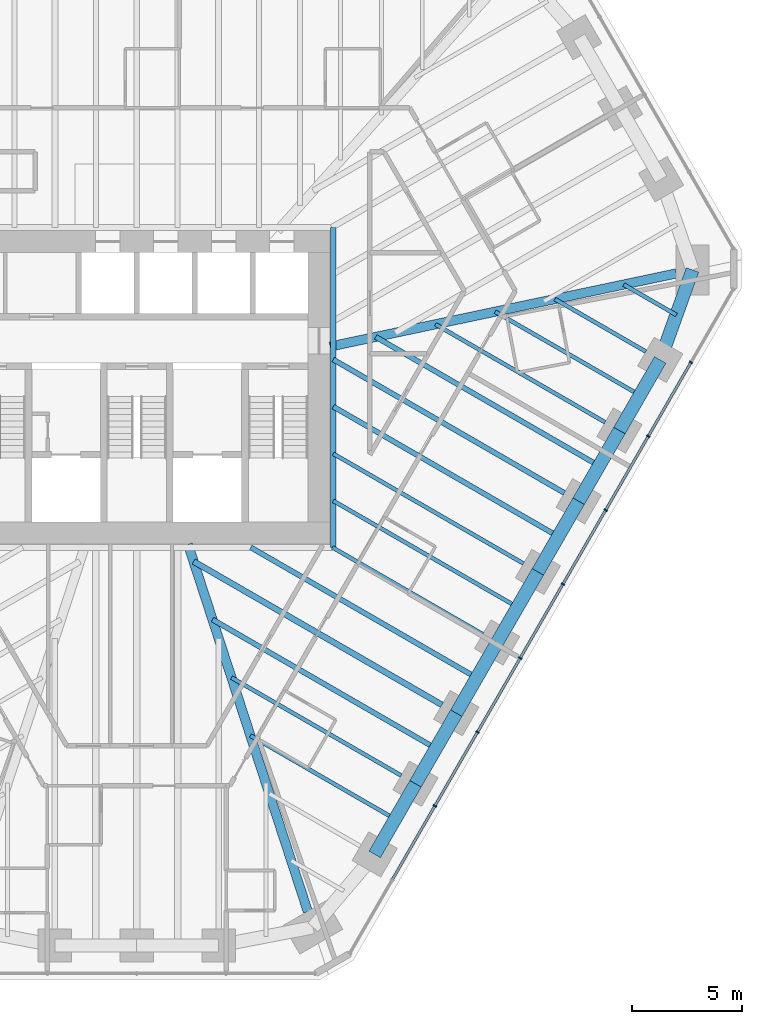
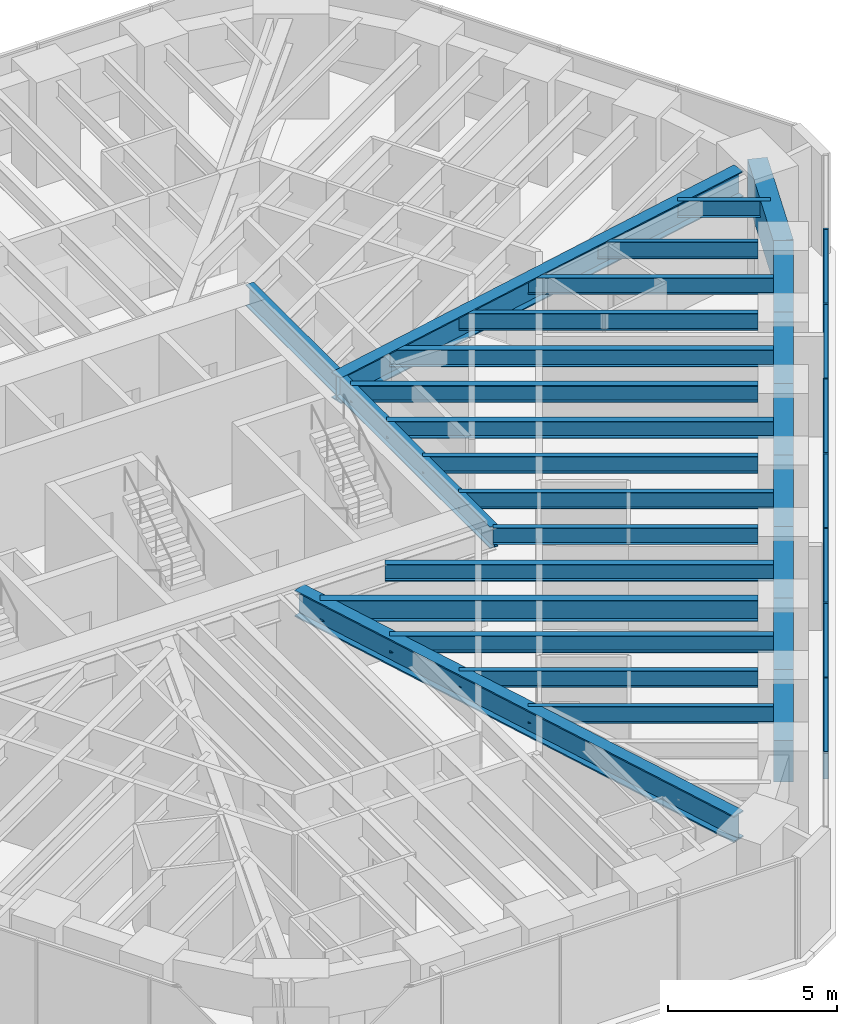
# One storey, part 5 of 16: 26 beams, 14 members, 1 element without a shape of its own.
"""IFC4 building model written with IfcOpenShell, lengths in metres."""

import ifcopenshell
import ifcopenshell.guid

model = None  # the IFC model being written
_history = None  # IfcOwnerHistory: only IFC2X3 demands one
_inside = {}  # id of a spatial element -> (the spatial element, [elements in it])
_under = {}  # id of a project, library or spatial element -> (it, [spatial elements below it])
_declared = {}  # id of a project -> (the project, [libraries it declares])
_typed = {}  # id of a type object -> (the type object, [elements of that type])
_made_of = {}  # id of a material, layer set ... -> (it, [elements and type objects made of it])


def new_model(schema):
    """Start an empty IFC model of exactly this schema.

    Asked for "IFC4X3", IfcOpenShell would pick the latest addendum, in which some entities
    have other attributes; the version numbers below select the first issue.
    IFC2X3 requires an IfcOwnerHistory on every rooted entity: one is made here for all.
    """
    global model, _history
    if schema == "IFC4X3":
        model = ifcopenshell.file(schema_version=(4, 3, 0, 0))
    else:
        model = ifcopenshell.file(schema=schema)
    _inside.clear()
    _under.clear()
    _declared.clear()
    _typed.clear()
    _made_of.clear()
    _history = None
    if model.schema == "IFC2X3":
        org = make("IfcOrganization", Name="unknown")
        user = make(
            "IfcPersonAndOrganization",
            ThePerson=make("IfcPerson", FamilyName="unknown"),
            TheOrganization=org,
        )
        app = make(
            "IfcApplication",
            ApplicationDeveloper=org,
            Version="unknown",
            ApplicationFullName="unknown",
            ApplicationIdentifier="unknown",
        )
        _history = make(
            "IfcOwnerHistory",
            OwningUser=user,
            OwningApplication=app,
            ChangeAction="ADDED",
            CreationDate=0,
        )
    return model


def make(cls, **values):
    """One entity of the class cls with the attributes given. An attribute that is None is left unset."""
    return model.create_entity(
        cls, **{name: value for name, value in values.items() if value is not None}
    )


def rooted(cls, **values):
    """An entity with a GlobalId (a new one), such as an element, a storey or a relation."""
    return make(cls, GlobalId=ifcopenshell.guid.new(), OwnerHistory=_history, **values)


def si_unit(unit_type, name, prefix=None):
    """IfcSIUnit, for example si_unit("LENGTHUNIT", "METRE", prefix="MILLI")."""
    return make("IfcSIUnit", UnitType=unit_type, Prefix=prefix, Name=name)


def assignment(units):
    """IfcUnitAssignment: the units of a project."""
    return None if units is None else make("IfcUnitAssignment", Units=units)


def point(xyz):
    """IfcCartesianPoint."""
    return None if xyz is None else make("IfcCartesianPoint", Coordinates=xyz)


def direction(xyz):
    """IfcDirection."""
    return None if xyz is None else make("IfcDirection", DirectionRatios=xyz)


def frame(location, z_axis=None, x_axis=None):
    """IfcAxis2Placement3D, a coordinate frame: its origin and axes. An axis left out is left unset."""
    return make(
        "IfcAxis2Placement3D",
        Location=point(location),
        Axis=direction(z_axis),
        RefDirection=direction(x_axis),
    )


def frame_2d(location, x_axis=None):
    """IfcAxis2Placement2D, a coordinate frame in the plane: its origin and x axis."""
    return make(
        "IfcAxis2Placement2D", Location=point(location), RefDirection=direction(x_axis)
    )


def origin():
    """The frame at (0, 0, 0) with its axes left unset."""
    return frame((0.0, 0.0, 0.0))


def origin_2d():
    """The frame at (0, 0) in the plane with its x axis left unset."""
    return frame_2d((0.0, 0.0))


def place(relative_to, where):
    """IfcLocalPlacement: puts the frame where relative to a parent placement (None: the world)."""
    return make(
        "IfcLocalPlacement", PlacementRelTo=relative_to, RelativePlacement=where
    )


def context(
    kind, dimensions, precision=None, world=None, true_north=None, identifier=None
):
    """IfcGeometricRepresentationContext, for example the 3D "Model" context."""
    return make(
        "IfcGeometricRepresentationContext",
        ContextIdentifier=identifier,
        ContextType=kind,
        CoordinateSpaceDimension=dimensions,
        Precision=precision,
        WorldCoordinateSystem=world,
        TrueNorth=true_north,
    )


def subcontext(parent, identifier, kind, view, scale=None):
    """IfcGeometricRepresentationSubContext, for example "Body" below "Model"."""
    return make(
        "IfcGeometricRepresentationSubContext",
        ContextIdentifier=identifier,
        ContextType=kind,
        ParentContext=parent,
        TargetScale=scale,
        TargetView=view,
    )


def project(units=None, contexts=None):
    """IfcProject with its units and contexts."""
    return rooted(
        "IfcProject",
        Name="project",
        RepresentationContexts=contexts,
        UnitsInContext=assignment(units),
    )


def spatial(cls, under=None, at=None, **own):
    """A site, building, storey or space (cls), placed at a placement, below another one or the project."""
    s = rooted(cls, ObjectPlacement=at, **own)
    if under is not None:
        _under.setdefault(under.id(), (under, []))[1].append(s)
    return s


def profile(cls, at=None, kind="AREA", **sizes):
    """A parametric profile (cls). Its sizes go by their IFC names, for example OverallWidth=200.0."""
    return make(cls, ProfileType=kind, Position=at, **sizes)


def rectangle(**sizes):
    """IfcRectangleProfileDef."""
    return profile("IfcRectangleProfileDef", **sizes)


def i_section(**sizes):
    """IfcIShapeProfileDef."""
    return profile("IfcIShapeProfileDef", **sizes)


def extrude(swept, where, along, depth):
    """IfcExtrudedAreaSolid: the profile swept, set in the frame where, extruded along a direction by depth."""
    return make(
        "IfcExtrudedAreaSolid",
        SweptArea=swept,
        Position=where,
        ExtrudedDirection=direction(along),
        Depth=depth,
    )


def shape(context_of_items, identifier, shape_type, items):
    """IfcShapeRepresentation: the items that make up one representation, for example the "Body"."""
    return make(
        "IfcShapeRepresentation",
        ContextOfItems=context_of_items,
        RepresentationIdentifier=identifier,
        RepresentationType=shape_type,
        Items=items,
    )


def material(Name=None, Category=None):
    """IfcMaterial."""
    return make("IfcMaterial", Name=Name, Category=Category)


def material_profile(
    of_material, cross_section, Name=None, Category=None, Priority=None
):
    """IfcMaterialProfile: a cross section and its material."""
    return make(
        "IfcMaterialProfile",
        Name=Name,
        Material=of_material,
        Profile=cross_section,
        Priority=Priority,
        Category=Category,
    )


def profile_set(profiles, Name=None, composite=None):
    """IfcMaterialProfileSet."""
    return make(
        "IfcMaterialProfileSet",
        Name=Name,
        MaterialProfiles=profiles,
        CompositeProfile=composite,
    )


def made_of(thing, what):
    """Note that an element or type object is made of a material, layer set ...; save() writes the relation."""
    if what is not None:
        _made_of.setdefault(what.id(), (what, []))[1].append(thing)
    return thing


def type_object(cls, material=None, **own):
    """A type object (cls), such as IfcWallType, which elements share."""
    return made_of(rooted(cls, **own), material)


def element(
    cls,
    number,
    at=None,
    inside=None,
    cuts=None,
    type_object=None,
    material=None,
    context=None,
    identifier="Body",
    shape_type=None,
    held_by="IfcProductDefinitionShape",
    body=None,
    shapes=None,
    **own,
):
    """One element of the class cls, such as IfcWall. Its Tag is "e" and its number.

    at: its placement. inside: the storey or other place that contains it. cuts: it is an
    opening in that element (IfcRelVoidsElement). A single representation is given by context,
    identifier, shape_type and body (its items); several are given by shapes. held_by: the class
    of the entity that holds the representations. save() writes the other relations.
    """
    e = rooted(cls, Tag="e%d" % number, ObjectPlacement=at, **own)
    if body is not None:
        shapes = [shape(context, identifier, shape_type, body)]
    if shapes is not None:
        e.Representation = make(held_by, Representations=shapes)
    if inside is not None:
        _inside.setdefault(inside.id(), (inside, []))[1].append(e)
    if cuts is not None:
        rooted(
            "IfcRelVoidsElement", RelatingBuildingElement=cuts, RelatedOpeningElement=e
        )
    if type_object is not None:
        _typed.setdefault(type_object.id(), (type_object, []))[1].append(e)
    return made_of(e, material)


def aggregate(whole, parts):
    """IfcRelAggregates: a whole, such as a stair, and the parts it consists of."""
    return rooted("IfcRelAggregates", RelatingObject=whole, RelatedObjects=parts)


def save(model, path):
    """Write the relations noted so far, then the file.

    IfcRelAggregates (storeys below a building ...), IfcRelContainedInSpatialStructure (elements
    in a storey), IfcRelDefinesByType, IfcRelAssociatesMaterial and IfcRelDeclares: one each for
    every whole, place, type object, material and project.
    """
    for whole, parts in _under.values():
        aggregate(whole, parts)
    for where, things in _inside.values():
        rooted(
            "IfcRelContainedInSpatialStructure",
            RelatedElements=things,
            RelatingStructure=where,
        )
    for kind, things in _typed.values():
        rooted("IfcRelDefinesByType", RelatedObjects=things, RelatingType=kind)
    for what, things in _made_of.values():
        rooted("IfcRelAssociatesMaterial", RelatedObjects=things, RelatingMaterial=what)
    for by, libraries in _declared.values():
        rooted("IfcRelDeclares", RelatingContext=by, RelatedDefinitions=libraries)
    model.write(path)


model = new_model("IFC4")

# Units and contexts
model_context = context("Model", 3, precision=1e-05, world=origin(), true_north=direction((0.0, 1.0)))
body_context = subcontext(model_context, "Body", "Model", "MODEL_VIEW")
ifc_project = project(units=[si_unit("LENGTHUNIT", "METRE"), si_unit("AREAUNIT", "SQUARE_METRE"), si_unit("VOLUMEUNIT", "CUBIC_METRE"), si_unit("PLANEANGLEUNIT", "RADIAN"), si_unit("MASSUNIT", "GRAM", prefix="KILO")], contexts=[model_context])

# Site, building, storey
site_placement = place(None, origin())
site = spatial("IfcSite", under=ifc_project, at=site_placement, CompositionType="ELEMENT")
building_placement = place(site_placement, origin())
building = spatial("IfcBuilding", under=site, at=building_placement, Name="Sandreach Pilgrim Tower", CompositionType="ELEMENT")
storey_placement = place(building_placement, frame((0.0, 0.0, 209.800048828125)))
storey = spatial("IfcBuildingStorey", under=building, at=storey_placement, Name="L52", CompositionType="ELEMENT", Elevation=209.800048828125)

# Curtain wall, members
ifc_material_1 = material(Name="Aluminium framed curtain wall", Category="aluminium")
curtain_wall_type = type_object("IfcCurtainWallType", Name="Upper hotel tower curtain wall", PredefinedType="NOTDEFINED", material=ifc_material_1)
curtain_wall_placement = place(storey_placement, origin())
curtain_wall = element("IfcCurtainWall", 1, at=curtain_wall_placement, inside=storey, type_object=curtain_wall_type, Name="CW-3 L52 SE", PredefinedType="NOTDEFINED")
ifc_material_2 = material(Name="Aluminium extrusion", Category="aluminium")
ifc_material_profile_1 = material_profile(ifc_material_2, rectangle(XDim=0.06494140625, YDim=0.159912109375, at=origin_2d()), Name="CW-3M 65X160")
ifc_profile_set_1 = profile_set([ifc_material_profile_1], Name="Aluminium extrusion")
member_type_1 = type_object("IfcMemberType", Name="CW-3 mullion", PredefinedType="MULLION", material=ifc_profile_set_1)
member_1_placement = place(storey_placement, frame((25.087890625, 1.13330078125, 0.0), z_axis=(0.0, 0.0, 1.0), x_axis=(-0.5, -0.866025403784, 0.0)))
member_1 = element("IfcMember", 2, at=member_1_placement, type_object=member_type_1, Name="CW-3 mullion 2", PredefinedType="MULLION", context=body_context, shape_type="SweptSolid", body=[
    extrude(rectangle(XDim=0.06494140625, YDim=0.159912109375, at=origin_2d()), origin(), (0.0, 0.0, 1.0), 3.639892578125),
])
member_2_placement = place(storey_placement, frame((23.15576171875, -2.21337890625, 0.0), z_axis=(0.0, 0.0, 1.0), x_axis=(-0.5, -0.866025403784, 0.0)))
member_2 = element("IfcMember", 3, at=member_2_placement, type_object=member_type_1, Name="CW-3 mullion 3", PredefinedType="MULLION", context=body_context, shape_type="SweptSolid", body=[
    extrude(rectangle(XDim=0.06494140625, YDim=0.159912109375, at=origin_2d()), origin(), (0.0, 0.0, 1.0), 3.639892578125),
])
member_3_placement = place(storey_placement, frame((21.223388671875, -5.56005859375, 0.0), z_axis=(0.0, 0.0, 1.0), x_axis=(-0.5, -0.866025403784, 0.0)))
member_3 = element("IfcMember", 4, at=member_3_placement, type_object=member_type_1, Name="CW-3 mullion 4", PredefinedType="MULLION", context=body_context, shape_type="SweptSolid", body=[
    extrude(rectangle(XDim=0.06494140625, YDim=0.159912109375, at=origin_2d()), origin(), (0.0, 0.0, 1.0), 3.639892578125),
])
member_4_placement = place(storey_placement, frame((19.291259765625, -8.90673828125, 0.0), z_axis=(0.0, 0.0, 1.0), x_axis=(-0.5, -0.866025403784, 0.0)))
member_4 = element("IfcMember", 5, at=member_4_placement, type_object=member_type_1, Name="CW-3 mullion 5", PredefinedType="MULLION", context=body_context, shape_type="SweptSolid", body=[
    extrude(rectangle(XDim=0.06494140625, YDim=0.159912109375, at=origin_2d()), origin(), (0.0, 0.0, 1.0), 3.639892578125),
])
member_5_placement = place(storey_placement, frame((17.359130859375, -12.25341796875, 0.0), z_axis=(0.0, 0.0, 1.0), x_axis=(-0.5, -0.866025403784, 0.0)))
member_5 = element("IfcMember", 6, at=member_5_placement, type_object=member_type_1, Name="CW-3 mullion 6", PredefinedType="MULLION", context=body_context, shape_type="SweptSolid", body=[
    extrude(rectangle(XDim=0.06494140625, YDim=0.159912109375, at=origin_2d()), origin(), (0.0, 0.0, 1.0), 3.639892578125),
])
member_6_placement = place(storey_placement, frame((15.4267578125, -15.60009765625, 0.0), z_axis=(0.0, 0.0, 1.0), x_axis=(-0.5, -0.866025403784, 0.0)))
member_6 = element("IfcMember", 7, at=member_6_placement, type_object=member_type_1, Name="CW-3 mullion 7", PredefinedType="MULLION", context=body_context, shape_type="SweptSolid", body=[
    extrude(rectangle(XDim=0.06494140625, YDim=0.159912109375, at=origin_2d()), origin(), (0.0, 0.0, 1.0), 3.639892578125),
])
member_7_placement = place(storey_placement, frame((13.49462890625, -18.94677734375, 0.0), z_axis=(0.0, 0.0, 1.0), x_axis=(-0.5, -0.866025403784, 0.0)))
member_7 = element("IfcMember", 8, at=member_7_placement, type_object=member_type_1, Name="CW-3 mullion 8", PredefinedType="MULLION", context=body_context, shape_type="SweptSolid", body=[
    extrude(rectangle(XDim=0.06494140625, YDim=0.159912109375, at=origin_2d()), origin(), (0.0, 0.0, 1.0), 3.639892578125),
])
ifc_material_3 = material(Name="Aluminium extrusion", Category="aluminium")
ifc_material_profile_2 = material_profile(ifc_material_3, rectangle(XDim=0.1201171875, YDim=0.070068359375, at=origin_2d()), Name="CW-3T 120X70")
ifc_profile_set_2 = profile_set([ifc_material_profile_2], Name="Aluminium extrusion")
member_type_2 = type_object("IfcMemberType", Name="CW-3 transom", PredefinedType="USERDEFINED", material=ifc_profile_set_2)
member_8_placement = place(storey_placement, frame((25.07177734375, 1.105224609375, 3.60498046875), z_axis=(-0.500022797313, -0.86601224135, 0.0), x_axis=(0.86601224135, -0.500022797313, 0.0)))
member_8 = element("IfcMember", 9, at=member_8_placement, type_object=member_type_2, Name="CW-3 head transom 2", ObjectType="TRANSOM", PredefinedType="USERDEFINED", context=body_context, shape_type="SweptSolid", body=[
    extrude(rectangle(XDim=0.1201171875, YDim=0.070068359375, at=origin_2d()), origin(), (0.0, 0.0, 1.0), 3.799560546875),
])
member_9_placement = place(storey_placement, frame((23.139404296875, -2.241455078125, 3.60498046875), z_axis=(-0.499974606132, -0.866040064445, 0.0), x_axis=(0.866040064445, -0.499974606132, 0.0)))
member_9 = element("IfcMember", 10, at=member_9_placement, type_object=member_type_2, Name="CW-3 head transom 3", ObjectType="TRANSOM", PredefinedType="USERDEFINED", context=body_context, shape_type="SweptSolid", body=[
    extrude(rectangle(XDim=0.1201171875, YDim=0.070068359375, at=origin_2d()), origin(), (0.0, 0.0, 1.0), 3.799560546875),
])
member_10_placement = place(storey_placement, frame((21.207275390625, -5.588134765625, 3.60498046875), z_axis=(-0.499974606132, -0.866040064445, 0.0), x_axis=(0.866040064445, -0.499974606132, 0.0)))
member_10 = element("IfcMember", 11, at=member_10_placement, type_object=member_type_2, Name="CW-3 head transom 4", ObjectType="TRANSOM", PredefinedType="USERDEFINED", context=body_context, shape_type="SweptSolid", body=[
    extrude(rectangle(XDim=0.1201171875, YDim=0.070068359375, at=origin_2d()), origin(), (0.0, 0.0, 1.0), 3.799560546875),
])
member_11_placement = place(storey_placement, frame((19.275146484375, -8.934814453125, 3.60498046875), z_axis=(-0.500022797313, -0.86601224135, 0.0), x_axis=(0.86601224135, -0.500022797313, 0.0)))
member_11 = element("IfcMember", 12, at=member_11_placement, type_object=member_type_2, Name="CW-3 head transom 5", ObjectType="TRANSOM", PredefinedType="USERDEFINED", context=body_context, shape_type="SweptSolid", body=[
    extrude(rectangle(XDim=0.1201171875, YDim=0.070068359375, at=origin_2d()), origin(), (0.0, 0.0, 1.0), 3.799560546875),
])
member_12_placement = place(storey_placement, frame((17.3427734375, -12.281494140625, 3.60498046875), z_axis=(-0.499974606132, -0.866040064445, 0.0), x_axis=(0.866040064445, -0.499974606132, 0.0)))
member_12 = element("IfcMember", 13, at=member_12_placement, type_object=member_type_2, Name="CW-3 head transom 6", ObjectType="TRANSOM", PredefinedType="USERDEFINED", context=body_context, shape_type="SweptSolid", body=[
    extrude(rectangle(XDim=0.1201171875, YDim=0.070068359375, at=origin_2d()), origin(), (0.0, 0.0, 1.0), 3.799560546875),
])
member_13_placement = place(storey_placement, frame((15.41064453125, -15.628173828125, 3.60498046875), z_axis=(-0.499974606132, -0.866040064445, 0.0), x_axis=(0.866040064445, -0.499974606132, 0.0)))
member_13 = element("IfcMember", 14, at=member_13_placement, type_object=member_type_2, Name="CW-3 head transom 7", ObjectType="TRANSOM", PredefinedType="USERDEFINED", context=body_context, shape_type="SweptSolid", body=[
    extrude(rectangle(XDim=0.1201171875, YDim=0.070068359375, at=origin_2d()), origin(), (0.0, 0.0, 1.0), 3.799560546875),
])
member_14_placement = place(storey_placement, frame((13.478515625, -18.974853515625, 3.60498046875), z_axis=(-0.500022797313, -0.86601224135, 0.0), x_axis=(0.86601224135, -0.500022797313, 0.0)))
member_14 = element("IfcMember", 15, at=member_14_placement, type_object=member_type_2, Name="CW-3 head transom 8", ObjectType="TRANSOM", PredefinedType="USERDEFINED", context=body_context, shape_type="SweptSolid", body=[
    extrude(rectangle(XDim=0.1201171875, YDim=0.070068359375, at=origin_2d()), origin(), (0.0, 0.0, 1.0), 3.799560546875),
])
aggregate(curtain_wall, [member_1, member_2, member_3, member_4, member_5, member_6, member_7, member_8, member_9, member_10, member_11, member_12, member_13, member_14])

# Beams
ifc_material_4 = material(Name="Steel ASTM A992 Grade 50", Category="steel")
ifc_material_profile_3 = material_profile(ifc_material_4, i_section(OverallWidth=0.2666015625, OverallDepth=0.77978515625, WebThickness=0.0166015625, FlangeThickness=0.030029296875, at=origin_2d()), Name="W30X148")
ifc_profile_set_3 = profile_set([ifc_material_profile_3], Name="Steel ASTM A992 Grade 50")
beam_type_1 = type_object("IfcBeamType", Name="Core edge beam W30X148", PredefinedType="BEAM", material=ifc_profile_set_3)
beam_1_placement = place(storey_placement, frame((8.893310546875, 7.243408203125, 3.25), z_axis=(0.0, -1.0, 0.0), x_axis=(1.0, 0.0, 0.0)))
element("IfcBeam", 16, at=beam_1_placement, inside=storey, type_object=beam_type_1, Name="BM L52 CEE", PredefinedType="BEAM", context=body_context, shape_type="SweptSolid", body=[
    extrude(i_section(OverallWidth=0.2666015625, OverallDepth=0.77978515625, WebThickness=0.0166015625, FlangeThickness=0.030029296875, at=origin_2d()), origin(), (0.0, 0.0, 1.0), 14.48681640625),
])
ifc_material_5 = material(Name="Steel ASTM A992 Grade 50", Category="steel")
ifc_material_profile_4 = material_profile(ifc_material_5, i_section(OverallWidth=0.421630859375, OverallDepth=0.937255859375, WebThickness=0.0224609375, FlangeThickness=0.039794921875, at=origin_2d()), Name="W36X282")
ifc_profile_set_4 = profile_set([ifc_material_profile_4], Name="Steel ASTM A992 Grade 50")
beam_type_2 = type_object("IfcBeamType", Name="Corner girder W36X282", PredefinedType="BEAM", material=ifc_profile_set_4)
beam_2_placement = place(storey_placement, frame((24.422607421875, 5.156494140625, 3.17138671875), z_axis=(-0.978428978804, -0.206583478132, 0.0), x_axis=(0.206583478132, -0.978428978804, 0.0)))
element("IfcBeam", 17, at=beam_2_placement, inside=storey, type_object=beam_type_2, Name="BM L52 CG13", PredefinedType="BEAM", context=body_context, shape_type="SweptSolid", body=[
    extrude(i_section(OverallWidth=0.421630859375, OverallDepth=0.937255859375, WebThickness=0.0224609375, FlangeThickness=0.039794921875, at=origin_2d()), origin(), (0.0, 0.0, 1.0), 16.01806640625),
])
ifc_material_6 = material(Name="Steel ASTM A992 Grade 50", Category="steel")
ifc_material_profile_5 = material_profile(ifc_material_6, i_section(OverallWidth=0.421630859375, OverallDepth=0.95751953125, WebThickness=0.02587890625, FlangeThickness=0.046875, at=origin_2d()), Name="W36X330")
ifc_profile_set_5 = profile_set([ifc_material_profile_5], Name="Steel ASTM A992 Grade 50")
beam_type_3 = type_object("IfcBeamType", Name="Corner girder W36X330", PredefinedType="BEAM", material=ifc_profile_set_5)
beam_3_placement = place(storey_placement, frame((7.745849609375, -23.72900390625, 3.1611328125), z_axis=(-0.310317870968, 0.950632851819, 0.0), x_axis=(-0.950632851819, -0.310317870968, 0.0)))
element("IfcBeam", 18, at=beam_3_placement, inside=storey, type_object=beam_type_3, Name="BM L52 CG22", PredefinedType="BEAM", context=body_context, shape_type="SweptSolid", body=[
    extrude(i_section(OverallWidth=0.421630859375, OverallDepth=0.95751953125, WebThickness=0.02587890625, FlangeThickness=0.046875, at=origin_2d()), origin(), (0.0, 0.0, 1.0), 17.492431640625),
])
ifc_material_7 = material(Name="Steel ASTM A992 Grade 50", Category="steel")
ifc_material_profile_6 = material_profile(ifc_material_7, i_section(OverallWidth=0.1787109375, OverallDepth=0.60205078125, WebThickness=0.010986328125, FlangeThickness=0.014892578125, at=origin_2d()), Name="W24X62")
ifc_profile_set_6 = profile_set([ifc_material_profile_6], Name="Steel ASTM A992 Grade 50")
beam_type_4 = type_object("IfcBeamType", Name="Floor beam W24X62", PredefinedType="BEAM", material=ifc_profile_set_6)
beam_4_placement = place(storey_placement, frame((23.04638671875, 1.6171875, 3.3388671875), z_axis=(-0.86603347311, 0.499986023258, 0.0), x_axis=(-0.499986023258, -0.86603347311, 0.0)))
element("IfcBeam", 19, at=beam_4_placement, inside=storey, type_object=beam_type_4, Name="BM L52 F14", PredefinedType="BEAM", context=body_context, shape_type="SweptSolid", body=[
    extrude(i_section(OverallWidth=0.1787109375, OverallDepth=0.60205078125, WebThickness=0.010986328125, FlangeThickness=0.014892578125, at=origin_2d()), origin(), (0.0, 0.0, 1.0), 4.757568359375),
])
beam_5_placement = place(storey_placement, frame((21.2001953125, -1.58056640625, 3.3388671875), z_axis=(-0.866027448082, 0.499996459156, 0.0), x_axis=(-0.499996459156, -0.866027448082, 0.0)))
element("IfcBeam", 20, at=beam_5_placement, inside=storey, type_object=beam_type_4, Name="BM L52 F15", PredefinedType="BEAM", context=body_context, shape_type="SweptSolid", body=[
    extrude(i_section(OverallWidth=0.1787109375, OverallDepth=0.60205078125, WebThickness=0.010986328125, FlangeThickness=0.014892578125, at=origin_2d()), origin(), (0.0, 0.0, 1.0), 8.86962890625),
])
beam_6_placement = place(storey_placement, frame((17.507568359375, -7.97607421875, 3.3388671875), z_axis=(-0.866027815265, 0.499995823171, 0.0), x_axis=(-0.499995823171, -0.866027815265, 0.0)))
element("IfcBeam", 21, at=beam_6_placement, inside=storey, type_object=beam_type_4, Name="BM L52 F17", PredefinedType="BEAM", context=body_context, shape_type="SweptSolid", body=[
    extrude(i_section(OverallWidth=0.1787109375, OverallDepth=0.60205078125, WebThickness=0.010986328125, FlangeThickness=0.014892578125, at=origin_2d()), origin(), (0.0, 0.0, 1.0), 9.94677734375),
])
beam_7_placement = place(storey_placement, frame((15.661376953125, -11.173828125, 3.3388671875), z_axis=(-0.866038711524, 0.49997694961, 0.0), x_axis=(-0.49997694961, -0.866038711524, 0.0)))
element("IfcBeam", 22, at=beam_7_placement, inside=storey, type_object=beam_type_4, Name="BM L52 F18", PredefinedType="BEAM", context=body_context, shape_type="SweptSolid", body=[
    extrude(i_section(OverallWidth=0.1787109375, OverallDepth=0.60205078125, WebThickness=0.010986328125, FlangeThickness=0.014892578125, at=origin_2d()), origin(), (0.0, 0.0, 1.0), 7.861083984375),
])
beam_8_placement = place(storey_placement, frame((11.96875, -17.569580078125, 3.3388671875), z_axis=(-0.866020566617, 0.500008378126, 0.0), x_axis=(-0.500008378126, -0.866020566617, 0.0)))
element("IfcBeam", 23, at=beam_8_placement, inside=storey, type_object=beam_type_4, Name="BM L52 F20", PredefinedType="BEAM", context=body_context, shape_type="SweptSolid", body=[
    extrude(i_section(OverallWidth=0.1787109375, OverallDepth=0.60205078125, WebThickness=0.010986328125, FlangeThickness=0.014892578125, at=origin_2d()), origin(), (0.0, 0.0, 1.0), 8.869384765625),
])
beam_9_placement = place(storey_placement, frame((24.42626953125, 3.27685546875, 3.3388671875), z_axis=(-0.866046803606, 0.49996293259, 0.0), x_axis=(-0.49996293259, -0.866046803606, 0.0)))
element("IfcBeam", 24, at=beam_9_placement, inside=storey, type_object=beam_type_4, Name="BM L52 FM13", PredefinedType="BEAM", context=body_context, shape_type="SweptSolid", body=[
    extrude(i_section(OverallWidth=0.1787109375, OverallDepth=0.60205078125, WebThickness=0.010986328125, FlangeThickness=0.014892578125, at=origin_2d()), origin(), (0.0, 0.0, 1.0), 2.753662109375),
])
beam_10_placement = place(storey_placement, frame((22.772705078125, -0.356689453125, 3.3388671875), z_axis=(-0.866029704776, 0.49999255039, 0.0), x_axis=(-0.49999255039, -0.866029704776, 0.0)))
element("IfcBeam", 25, at=beam_10_placement, inside=storey, type_object=beam_type_4, Name="BM L52 FM14", PredefinedType="BEAM", context=body_context, shape_type="SweptSolid", body=[
    extrude(i_section(OverallWidth=0.1787109375, OverallDepth=0.60205078125, WebThickness=0.010986328125, FlangeThickness=0.014892578125, at=origin_2d()), origin(), (0.0, 0.0, 1.0), 7.5634765625),
])
beam_11_placement = place(storey_placement, frame((17.23388671875, -9.949951171875, 3.3388671875), z_axis=(-0.866025593094, 0.499999672107, 0.0), x_axis=(-0.499999672107, -0.866025593094, 0.0)))
element("IfcBeam", 26, at=beam_11_placement, inside=storey, type_object=beam_type_4, Name="BM L52 FM17", PredefinedType="BEAM", context=body_context, shape_type="SweptSolid", body=[
    extrude(i_section(OverallWidth=0.1787109375, OverallDepth=0.60205078125, WebThickness=0.010986328125, FlangeThickness=0.014892578125, at=origin_2d()), origin(), (0.0, 0.0, 1.0), 9.630859375),
])
beam_12_placement = place(storey_placement, frame((11.6953125, -19.54345703125, 3.3388671875), z_axis=(-0.866029704776, 0.49999255039, 0.0), x_axis=(-0.49999255039, -0.866029704776, 0.0)))
element("IfcBeam", 27, at=beam_12_placement, inside=storey, type_object=beam_type_4, Name="BM L52 FM20", PredefinedType="BEAM", context=body_context, shape_type="SweptSolid", body=[
    extrude(i_section(OverallWidth=0.1787109375, OverallDepth=0.60205078125, WebThickness=0.010986328125, FlangeThickness=0.014892578125, at=origin_2d()), origin(), (0.0, 0.0, 1.0), 7.5634765625),
])
ifc_material_8 = material(Name="Steel ASTM A992 Grade 50", Category="steel")
ifc_material_profile_7 = material_profile(ifc_material_8, i_section(OverallWidth=0.23046875, OverallDepth=0.6171875, WebThickness=0.01318359375, FlangeThickness=0.022216796875, at=origin_2d()), Name="W24X94")
ifc_profile_set_7 = profile_set([ifc_material_profile_7], Name="Steel ASTM A992 Grade 50")
beam_type_5 = type_object("IfcBeamType", Name="Floor beam W24X94", PredefinedType="BEAM", material=ifc_profile_set_7)
beam_13_placement = place(storey_placement, frame((19.353759765625, -4.7783203125, 3.331298828125), z_axis=(-0.866026713419, 0.49999773164, 0.0), x_axis=(-0.49999773164, -0.866026713419, 0.0)))
element("IfcBeam", 28, at=beam_13_placement, inside=storey, type_object=beam_type_5, Name="BM L52 F16", PredefinedType="BEAM", context=body_context, shape_type="SweptSolid", body=[
    extrude(i_section(OverallWidth=0.23046875, OverallDepth=0.6171875, WebThickness=0.01318359375, FlangeThickness=0.022216796875, at=origin_2d()), origin(), (0.0, 0.0, 1.0), 12.07861328125),
])
beam_14_placement = place(storey_placement, frame((20.926513671875, -3.554443359375, 3.331298828125), z_axis=(-0.866026454974, 0.499998179282, 0.0), x_axis=(-0.499998179282, -0.866026454974, 0.0)))
element("IfcBeam", 29, at=beam_14_placement, inside=storey, type_object=beam_type_5, Name="BM L52 FM15", PredefinedType="BEAM", context=body_context, shape_type="SweptSolid", body=[
    extrude(i_section(OverallWidth=0.23046875, OverallDepth=0.6171875, WebThickness=0.01318359375, FlangeThickness=0.022216796875, at=origin_2d()), origin(), (0.0, 0.0, 1.0), 11.67578125),
])
beam_15_placement = place(storey_placement, frame((19.080322265625, -6.752197265625, 3.331298828125), z_axis=(-0.866030053141, 0.499991946992, 0.0), x_axis=(-0.499991946992, -0.866030053141, 0.0)))
element("IfcBeam", 30, at=beam_15_placement, inside=storey, type_object=beam_type_5, Name="BM L52 FM16", PredefinedType="BEAM", context=body_context, shape_type="SweptSolid", body=[
    extrude(i_section(OverallWidth=0.23046875, OverallDepth=0.6171875, WebThickness=0.01318359375, FlangeThickness=0.022216796875, at=origin_2d()), origin(), (0.0, 0.0, 1.0), 11.762939453125),
])
beam_16_placement = place(storey_placement, frame((15.3876953125, -13.14794921875, 3.331298828125), z_axis=(-0.866022050506, 0.500005808004, 0.0), x_axis=(-0.500005808004, -0.866022050506, 0.0)))
element("IfcBeam", 31, at=beam_16_placement, inside=storey, type_object=beam_type_5, Name="BM L52 FM18", PredefinedType="BEAM", context=body_context, shape_type="SweptSolid", body=[
    extrude(i_section(OverallWidth=0.23046875, OverallDepth=0.6171875, WebThickness=0.01318359375, FlangeThickness=0.022216796875, at=origin_2d()), origin(), (0.0, 0.0, 1.0), 11.808837890625),
])
beam_17_placement = place(storey_placement, frame((13.54150390625, -16.345703125, 3.331298828125), z_axis=(-0.866026454974, 0.499998179282, 0.0), x_axis=(-0.499998179282, -0.866026454974, 0.0)))
element("IfcBeam", 32, at=beam_17_placement, inside=storey, type_object=beam_type_5, Name="BM L52 FM19", PredefinedType="BEAM", context=body_context, shape_type="SweptSolid", body=[
    extrude(i_section(OverallWidth=0.23046875, OverallDepth=0.6171875, WebThickness=0.01318359375, FlangeThickness=0.022216796875, at=origin_2d()), origin(), (0.0, 0.0, 1.0), 11.67578125),
])
ifc_material_9 = material(Name="Steel ASTM A992 Grade 50", Category="steel")
ifc_material_profile_8 = material_profile(ifc_material_9, i_section(OverallWidth=0.2666015625, OverallDepth=0.761962890625, WebThickness=0.014404296875, FlangeThickness=0.021484375, at=origin_2d()), Name="W30X116")
ifc_profile_set_8 = profile_set([ifc_material_profile_8], Name="Steel ASTM A992 Grade 50")
beam_type_6 = type_object("IfcBeamType", Name="Floor beam W30X116", PredefinedType="BEAM", material=ifc_profile_set_8)
beam_18_placement = place(storey_placement, frame((13.815185546875, -14.371826171875, 3.259033203125), z_axis=(-0.866025240073, 0.500000283557, 0.0), x_axis=(-0.500000283557, -0.866025240073, 0.0)))
element("IfcBeam", 33, at=beam_18_placement, inside=storey, type_object=beam_type_6, Name="BM L52 F19", PredefinedType="BEAM", context=body_context, shape_type="SweptSolid", body=[
    extrude(i_section(OverallWidth=0.2666015625, OverallDepth=0.761962890625, WebThickness=0.014404296875, FlangeThickness=0.021484375, at=origin_2d()), origin(), (0.0, 0.0, 1.0), 12.98193359375),
])
ifc_material_10 = material(Name="Concrete 10000 psi", Category="concrete")
ifc_material_profile_9 = material_profile(ifc_material_10, rectangle(XDim=0.60009765625, YDim=1.5, at=origin_2d()), Name="RC600X1500")
ifc_profile_set_9 = profile_set([ifc_material_profile_9], Name="Concrete 10000 psi")
beam_type_7 = type_object("IfcBeamType", Name="Spandrel beam RC600X1500", PredefinedType="SPANDREL", material=ifc_profile_set_9)
beam_19_placement = place(storey_placement, frame((25.156494140625, 5.311279296875, 2.889892578125), z_axis=(-0.337863470932, -0.941195131208, 0.0), x_axis=(0.941195131208, -0.337863470932, 0.0)))
element("IfcBeam", 34, at=beam_19_placement, inside=storey, type_object=beam_type_7, Name="BM L52 SP13", PredefinedType="SPANDREL", context=body_context, shape_type="SweptSolid", body=[
    extrude(rectangle(XDim=0.60009765625, YDim=1.5, at=origin_2d()), origin(), (0.0, 0.0, 1.0), 4.3232421875),
])
for number, where, z_axis, x_axis, name in (
    (35, (23.69580078125, 1.2421875, 2.889892578125), (-0.499993363642, -0.866029235253, 0.0), (0.866029235253, -0.499993363642, 0.0), "BM L52 SP14"),
    (36, (21.849609375, -1.95556640625, 2.889892578125), (-0.499993363642, -0.866029235253, 0.0), (0.866029235253, -0.499993363642, 0.0), "BM L52 SP15"),
    (37, (20.00341796875, -5.1533203125, 2.889892578125), (-0.499993363642, -0.866029235253, 0.0), (0.866029235253, -0.499993363642, 0.0), "BM L52 SP16"),
):
    element("IfcBeam", number, at=place(storey_placement, frame(where, z_axis=z_axis, x_axis=x_axis)), inside=storey, type_object=beam_type_7, Name=name, PredefinedType="SPANDREL", context=body_context, shape_type="SweptSolid", body=[
        extrude(rectangle(XDim=0.60009765625, YDim=1.5, at=origin_2d()), origin(), (0.0, 0.0, 1.0), 3.6923828125),
    ])
for number, where, z_axis, x_axis, name in (
    (38, (18.1572265625, -8.35107421875, 2.889892578125), (-0.500042951019, -0.866000604582, 0.0), (0.866000604582, -0.500042951019, 0.0), "BM L52 SP17"),
    (39, (16.310791015625, -11.548828125, 2.889892578125), (-0.49996473481, -0.866045763194, 0.0), (0.866045763194, -0.49996473481, 0.0), "BM L52 SP18"),
):
    element("IfcBeam", number, at=place(storey_placement, frame(where, z_axis=z_axis, x_axis=x_axis)), inside=storey, type_object=beam_type_7, Name=name, PredefinedType="SPANDREL", context=body_context, shape_type="SweptSolid", body=[
        extrude(rectangle(XDim=0.60009765625, YDim=1.5, at=origin_2d()), origin(), (0.0, 0.0, 1.0), 3.692626953125),
    ])
for number, where, z_axis, x_axis, name in (
    (40, (14.464599609375, -14.746826171875, 2.889892578125), (-0.499993363642, -0.866029235253, 0.0), (0.866029235253, -0.499993363642, 0.0), "BM L52 SP19"),
    (41, (12.618408203125, -17.944580078125, 2.889892578125), (-0.499993363642, -0.866029235253, 0.0), (0.866029235253, -0.499993363642, 0.0), "BM L52 SP20"),
):
    element("IfcBeam", number, at=place(storey_placement, frame(where, z_axis=z_axis, x_axis=x_axis)), inside=storey, type_object=beam_type_7, Name=name, PredefinedType="SPANDREL", context=body_context, shape_type="SweptSolid", body=[
        extrude(rectangle(XDim=0.60009765625, YDim=1.5, at=origin_2d()), origin(), (0.0, 0.0, 1.0), 3.6923828125),
    ])

save(model, "model.ifc")
